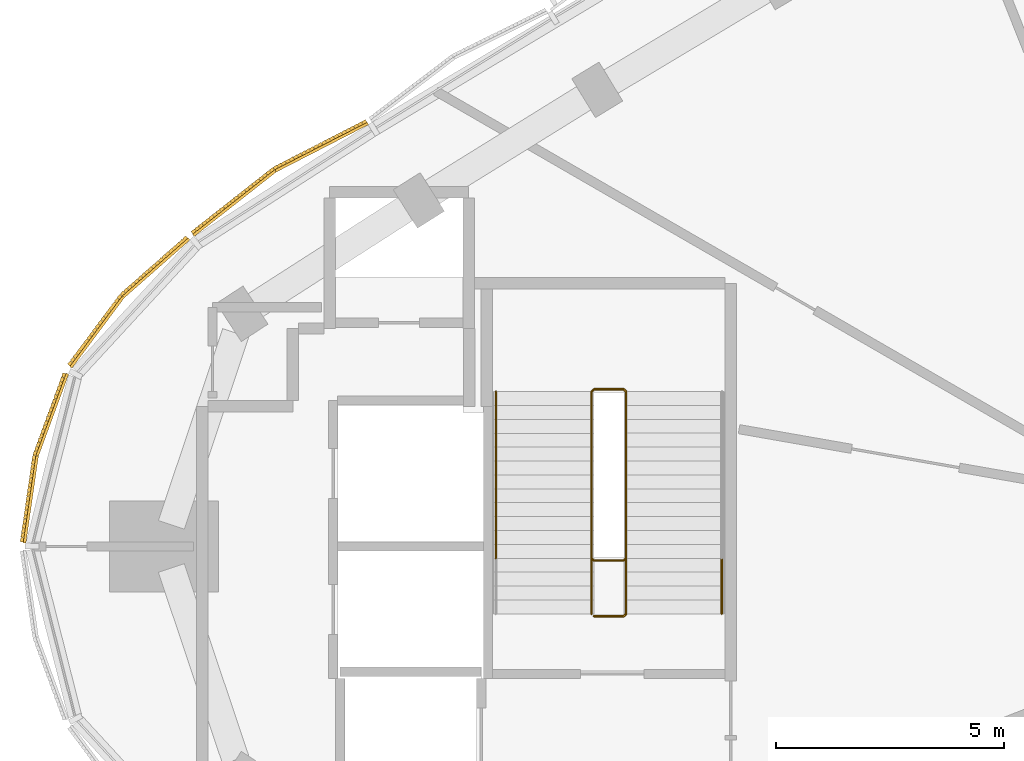
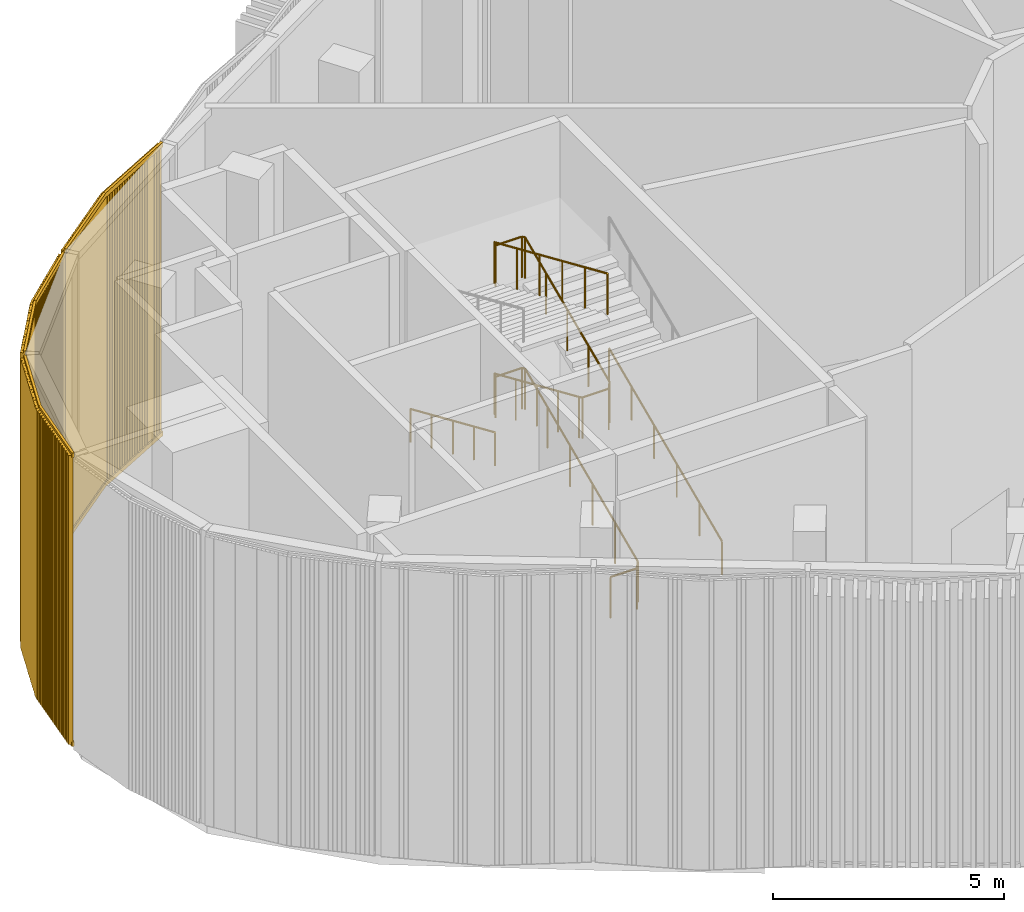
# One storey, part 8 of 11: 3 coverings, 3 railings.
"""IFC4 building model written with IfcOpenShell, lengths in metres."""

from ifc_helpers import new_model, si_unit, direction, frame, frame_2d, origin, origin_2d, place, context, subcontext, project, spatial, rectangle, circle, extrude, source, transform, mapped, material, type_object, element, save


model = new_model("IFC4")

# Units and contexts
model_context = context("Model", 3, precision=1e-05, world=origin(), true_north=direction((0.0, 1.0)))
body_context = subcontext(model_context, "Body", "Model", "MODEL_VIEW")
ifc_project = project(units=[si_unit("LENGTHUNIT", "METRE"), si_unit("AREAUNIT", "SQUARE_METRE"), si_unit("VOLUMEUNIT", "CUBIC_METRE"), si_unit("PLANEANGLEUNIT", "RADIAN"), si_unit("MASSUNIT", "GRAM", prefix="KILO")], contexts=[model_context])

# Site, building, storey
site_placement = place(None, origin())
site = spatial("IfcSite", under=ifc_project, at=site_placement, CompositionType="ELEMENT")
building_placement = place(site_placement, origin())
building = spatial("IfcBuilding", under=site, at=building_placement, Name="Tamra Quay Hotel Tower", CompositionType="ELEMENT")
storey_placement = place(building_placement, frame((0.0, 0.0, 312.60009765625)))
storey = spatial("IfcBuildingStorey", under=building, at=storey_placement, Name="L78", CompositionType="ELEMENT", Elevation=312.60009765625)

# Railings
ifc_material_1 = material(Name="Stair guard 1100")
railing_type_1 = type_object("IfcRailingType", Name="Stair guard 1100", PredefinedType="GUARDRAIL", material=ifc_material_1)
railing_1_placement = place(storey_placement, frame((-13.84130859375, -1.530029296875, 0.0)))
element("IfcRailing", 1, at=railing_1_placement, inside=storey, type_object=railing_type_1, Name="GR", PredefinedType="GUARDRAIL", context=body_context, shape_type="SweptSolid", body=[
    extrude(circle(Radius=0.02392578125, at=origin_2d()), frame((0.0, 0.0, 1.076171875), z_axis=(1.0, 0.0, 0.0), x_axis=(0.0, 1.0, 0.0)), (0.0, 0.0, 1.0), 0.658935546875),
    extrude(circle(Radius=0.02392578125, at=origin_2d()), frame((0.658935546875, 0.0, 1.076171875), z_axis=(0.331610167269, 0.331610167269, 0.883215372335), x_axis=(-0.707106781187, 0.707106781187, 0.0)), (0.0, 0.0, 1.0), 0.15087890625),
    extrude(circle(Radius=0.02392578125, at=origin_2d()), frame((0.708984375, 0.050048828125, 1.20947265625), z_axis=(0.0, 0.916270923776, 0.400559102059), x_axis=(-1.0, 0.0, 0.0)), (0.0, 0.0, 1.0), 5.325927734375),
    extrude(circle(Radius=0.02392578125, at=origin_2d()), frame((0.708984375, 4.929931640625, 3.3427734375), z_axis=(-0.707106781187, 0.707106781187, 0.0), x_axis=(-0.707106781187, -0.707106781187, 0.0)), (0.0, 0.0, 1.0), 0.07080078125),
    extrude(circle(Radius=0.02392578125, at=origin_2d()), frame((0.658935546875, 4.97998046875, 3.3427734375), z_axis=(-1.0, 0.0, 0.0), x_axis=(0.0, -1.0, 0.0)), (0.0, 0.0, 1.0), 0.658935546875),
    extrude(circle(Radius=0.02392578125, at=origin_2d()), frame((0.0, 4.97998046875, 3.3427734375), z_axis=(-0.331610167269, -0.331610167269, 0.883215372335), x_axis=(0.707106781187, -0.707106781187, 0.0)), (0.0, 0.0, 1.0), 0.15087890625),
    extrude(circle(Radius=0.02392578125, at=origin_2d()), frame((-0.050048828125, 4.929931640625, 3.47607421875), z_axis=(0.0, -0.916259707146, 0.400584758898), x_axis=(1.0, 0.0, 0.0)), (0.0, 0.0, 1.0), 3.994384765625),
    extrude(circle(Radius=0.02392578125, at=origin_2d()), frame((-0.050048828125, 1.27001953125, 5.076171875), z_axis=(0.707106781187, -0.707106781187, 0.0), x_axis=(0.707106781187, 0.707106781187, 0.0)), (0.0, 0.0, 1.0), 0.07080078125),
    extrude(circle(Radius=0.02392578125, at=origin_2d()), frame((0.0, 1.219970703125, 5.076171875), z_axis=(1.0, 0.0, 0.0), x_axis=(0.0, 1.0, 0.0)), (0.0, 0.0, 1.0), 0.658935546875),
    extrude(circle(Radius=0.02392578125, at=origin_2d()), frame((0.658935546875, 1.219970703125, 5.076171875), z_axis=(0.331610167269, 0.331610167269, 0.883215372335), x_axis=(-0.707106781187, 0.707106781187, 0.0)), (0.0, 0.0, 1.0), 0.15087890625),
    extrude(circle(Radius=0.02392578125, at=origin_2d()), frame((0.708984375, 1.27001953125, 5.20947265625), z_axis=(0.0, 0.916282139963, 0.400533444278), x_axis=(-1.0, 0.0, 0.0)), (0.0, 0.0, 1.0), 3.994384765625),
    extrude(circle(Radius=0.02392578125, at=origin_2d()), frame((0.708984375, 4.929931640625, 6.80908203125), z_axis=(-0.707106781187, 0.707106781187, 0.0), x_axis=(-0.707106781187, -0.707106781187, 0.0)), (0.0, 0.0, 1.0), 0.07080078125),
    extrude(circle(Radius=0.02392578125, at=origin_2d()), frame((0.658935546875, 4.97998046875, 6.80908203125), z_axis=(-1.0, 0.0, 0.0), x_axis=(0.0, -1.0, 0.0)), (0.0, 0.0, 1.0), 0.658935546875),
    extrude(circle(Radius=0.02392578125, at=origin_2d()), frame((0.0, 4.97998046875, 6.80908203125), z_axis=(-0.331610167269, -0.331610167269, 0.883215372335), x_axis=(0.707106781187, -0.707106781187, 0.0)), (0.0, 0.0, 1.0), 0.15087890625),
    extrude(circle(Radius=0.02392578125, at=origin_2d()), frame((-0.050048828125, 4.929931640625, 6.9423828125), z_axis=(0.0, -0.916254098664, 0.400597586964), x_axis=(1.0, 0.0, 0.0)), (0.0, 0.0, 1.0), 5.325927734375),
    extrude(circle(Radius=0.02099609375, at=origin_2d()), origin(), (0.0, 0.0, 1.0), 1.052001953125),
    extrude(circle(Radius=0.02099609375, at=origin_2d()), frame((0.658935546875, 0.0, 0.0)), (0.0, 0.0, 1.0), 1.052001953125),
    extrude(circle(Radius=0.02099609375, at=origin_2d()), frame((0.708984375, 0.050048828125, 0.13330078125)), (0.0, 0.0, 1.0), 1.052001953125),
    extrude(circle(Radius=0.02099609375, at=origin_2d()), frame((0.708984375, 1.026123046875, 0.56005859375)), (0.0, 0.0, 1.0), 1.052001953125),
    extrude(circle(Radius=0.02099609375, at=origin_2d()), frame((0.708984375, 2.001953125, 0.986572265625)), (0.0, 0.0, 1.0), 1.052001953125),
    extrude(circle(Radius=0.02099609375, at=origin_2d()), frame((0.708984375, 2.97802734375, 1.413330078125)), (0.0, 0.0, 1.0), 1.052001953125),
    extrude(circle(Radius=0.02099609375, at=origin_2d()), frame((0.708984375, 3.953857421875, 1.83984375)), (0.0, 0.0, 1.0), 1.052001953125),
    extrude(circle(Radius=0.02099609375, at=origin_2d()), frame((0.708984375, 4.929931640625, 2.2666015625)), (0.0, 0.0, 1.0), 1.052001953125),
    extrude(circle(Radius=0.02099609375, at=origin_2d()), frame((0.658935546875, 4.97998046875, 2.2666015625)), (0.0, 0.0, 1.0), 1.052001953125),
    extrude(circle(Radius=0.02099609375, at=origin_2d()), frame((0.0, 4.97998046875, 2.2666015625)), (0.0, 0.0, 1.0), 1.052001953125),
    extrude(circle(Radius=0.02099609375, at=origin_2d()), frame((-0.050048828125, 4.929931640625, 2.39990234375)), (0.0, 0.0, 1.0), 1.052001953125),
    extrude(circle(Radius=0.02099609375, at=origin_2d()), frame((-0.050048828125, 4.014892578125, 2.7998046875)), (0.0, 0.0, 1.0), 1.052001953125),
    extrude(circle(Radius=0.02099609375, at=origin_2d()), frame((-0.050048828125, 3.10009765625, 3.199951171875)), (0.0, 0.0, 1.0), 1.052001953125),
    extrude(circle(Radius=0.02099609375, at=origin_2d()), frame((-0.050048828125, 2.18505859375, 3.60009765625)), (0.0, 0.0, 1.0), 1.052001953125),
    extrude(circle(Radius=0.02099609375, at=origin_2d()), frame((-0.050048828125, 1.27001953125, 4.0)), (0.0, 0.0, 1.0), 1.052001953125),
    extrude(circle(Radius=0.02099609375, at=origin_2d()), frame((0.0, 1.219970703125, 4.0)), (0.0, 0.0, 1.0), 1.052001953125),
    extrude(circle(Radius=0.02099609375, at=origin_2d()), frame((0.658935546875, 1.219970703125, 4.0)), (0.0, 0.0, 1.0), 1.052001953125),
    extrude(circle(Radius=0.02099609375, at=origin_2d()), frame((0.708984375, 1.27001953125, 4.13330078125)), (0.0, 0.0, 1.0), 1.052001953125),
    extrude(circle(Radius=0.02099609375, at=origin_2d()), frame((0.708984375, 2.18505859375, 4.533203125)), (0.0, 0.0, 1.0), 1.052001953125),
    extrude(circle(Radius=0.02099609375, at=origin_2d()), frame((0.708984375, 3.10009765625, 4.93310546875)), (0.0, 0.0, 1.0), 1.052001953125),
    extrude(circle(Radius=0.02099609375, at=origin_2d()), frame((0.708984375, 4.014892578125, 5.333251953125)), (0.0, 0.0, 1.0), 1.052001953125),
    extrude(circle(Radius=0.02099609375, at=origin_2d()), frame((0.708984375, 4.929931640625, 5.733154296875)), (0.0, 0.0, 1.0), 1.052001953125),
    extrude(circle(Radius=0.02099609375, at=origin_2d()), frame((0.658935546875, 4.97998046875, 5.733154296875)), (0.0, 0.0, 1.0), 1.052001953125),
    extrude(circle(Radius=0.02099609375, at=origin_2d()), frame((0.0, 4.97998046875, 5.733154296875)), (0.0, 0.0, 1.0), 1.052001953125),
    extrude(circle(Radius=0.02099609375, at=origin_2d()), frame((-0.050048828125, 4.929931640625, 5.866455078125)), (0.0, 0.0, 1.0), 1.052001953125),
    extrude(circle(Radius=0.02099609375, at=origin_2d()), frame((-0.050048828125, 3.953857421875, 6.293212890625)), (0.0, 0.0, 1.0), 1.052001953125),
    extrude(circle(Radius=0.02099609375, at=origin_2d()), frame((-0.050048828125, 2.97802734375, 6.719970703125)), (0.0, 0.0, 1.0), 1.052001953125),
    extrude(circle(Radius=0.02099609375, at=origin_2d()), frame((-0.050048828125, 2.001953125, 7.146484375)), (0.0, 0.0, 1.0), 1.052001953125),
    extrude(circle(Radius=0.02099609375, at=origin_2d()), frame((-0.050048828125, 1.026123046875, 7.5732421875)), (0.0, 0.0, 1.0), 1.052001953125),
    extrude(circle(Radius=0.02099609375, at=origin_2d()), frame((-0.050048828125, 0.050048828125, 8.0)), (0.0, 0.0, 1.0), 1.052001953125),
])
ifc_material_2 = material(Name="Stair handrail 900")
railing_type_2 = type_object("IfcRailingType", Name="Stair handrail 900", PredefinedType="HANDRAIL", material=ifc_material_2)
railing_2_placement = place(storey_placement, frame((-11.0322265625, -1.47998046875, 0.13330078125)))
element("IfcRailing", 2, at=railing_2_placement, inside=storey, type_object=railing_type_2, Name="HR", PredefinedType="HANDRAIL", context=body_context, shape_type="SweptSolid", body=[
    extrude(circle(Radius=0.02392578125, at=origin_2d()), frame((0.0, 0.0, 0.8759765625), z_axis=(0.0, 0.916270923776, 0.400559102059), x_axis=(-1.0, 0.0, 0.0)), (0.0, 0.0, 1.0), 5.325927734375),
    extrude(circle(Radius=0.02099609375, at=origin_2d()), origin(), (0.0, 0.0, 1.0), 0.851806640625),
    extrude(circle(Radius=0.02099609375, at=origin_2d()), frame((0.0, 0.97607421875, 0.4267578125)), (0.0, 0.0, 1.0), 0.851806640625),
    extrude(circle(Radius=0.02099609375, at=origin_2d()), frame((0.0, 1.951904296875, 0.853271484375)), (0.0, 0.0, 1.0), 0.851806640625),
    extrude(circle(Radius=0.02099609375, at=origin_2d()), frame((0.0, 2.927978515625, 1.280029296875)), (0.0, 0.0, 1.0), 0.851806640625),
    extrude(circle(Radius=0.02099609375, at=origin_2d()), frame((0.0, 3.90380859375, 1.70654296875)), (0.0, 0.0, 1.0), 0.851806640625),
    extrude(circle(Radius=0.02099609375, at=origin_2d()), frame((0.0, 4.8798828125, 2.13330078125)), (0.0, 0.0, 1.0), 0.851806640625),
])
railing_3_placement = place(storey_placement, frame((-15.9912109375, 3.39990234375, 2.39990234375)))
element("IfcRailing", 3, at=railing_3_placement, inside=storey, type_object=railing_type_2, Name="HR", PredefinedType="HANDRAIL", context=body_context, shape_type="SweptSolid", body=[
    extrude(circle(Radius=0.02392578125, at=origin_2d()), frame((0.0, 0.0, 0.8759765625), z_axis=(0.0, -0.916259707146, 0.400584758898), x_axis=(1.0, 0.0, 0.0)), (0.0, 0.0, 1.0), 3.994384765625),
    extrude(circle(Radius=0.02099609375, at=origin_2d()), origin(), (0.0, 0.0, 1.0), 0.851806640625),
    extrude(circle(Radius=0.02099609375, at=origin_2d()), frame((0.0, -0.9150390625, 0.39990234375)), (0.0, 0.0, 1.0), 0.851806640625),
    extrude(circle(Radius=0.02099609375, at=origin_2d()), frame((0.0, -1.830078125, 0.800048828125)), (0.0, 0.0, 1.0), 0.851806640625),
    extrude(circle(Radius=0.02099609375, at=origin_2d()), frame((0.0, -2.744873046875, 1.2001953125)), (0.0, 0.0, 1.0), 0.851806640625),
    extrude(circle(Radius=0.02099609375, at=origin_2d()), frame((0.0, -3.659912109375, 1.60009765625)), (0.0, 0.0, 1.0), 0.851806640625),
])

# Coverings
ifc_material_3 = material(Name="Terracotta baguette extruded", Category="masonry")
covering_type_1 = type_object("IfcCoveringType", Name="BAGUETTE SCREEN NW-SHALLOW H7750", PredefinedType="USERDEFINED", material=ifc_material_3)
shared_shape_1 = source(origin(), body_context, "Body", "SweptSolid", [
    extrude(rectangle(XDim=2.282958984375, YDim=0.06005859375, at=frame_2d((1.1416015625, 0.030029296875))), frame((-2.2783203125, -0.0576171875, -0.1201171875), z_axis=(0.0, 0.0, 1.0), x_axis=(0.995396198367, -0.09584575252, 0.0)), (0.0, 0.0, 1.0), 0.1201171875),
    extrude(rectangle(XDim=2.282958984375, YDim=0.06005859375, at=frame_2d((1.1416015625, 0.030029296875))), frame((-2.2783203125, -0.0576171875, -7.75), z_axis=(0.0, 0.0, 1.0), x_axis=(0.995396198367, -0.09584575252, 0.0)), (0.0, 0.0, 1.0), 0.1201171875),
    extrude(rectangle(XDim=0.094970703125, YDim=0.10009765625, at=frame_2d((0.04736328125, 0.050048828125))), frame((-2.2705078125, -0.1328125, -7.68994140625)), (0.0, 0.0, 1.0), 7.6298828125),
    extrude(rectangle(XDim=0.094970703125, YDim=0.10009765625, at=frame_2d((0.04736328125, 0.050048828125))), frame((-2.171875, -0.142333984375, -7.68994140625)), (0.0, 0.0, 1.0), 7.6298828125),
    extrude(rectangle(XDim=0.094970703125, YDim=0.10009765625, at=frame_2d((0.04736328125, 0.050048828125))), frame((-2.072998046875, -0.15185546875, -7.68994140625)), (0.0, 0.0, 1.0), 7.6298828125),
    extrude(rectangle(XDim=0.094970703125, YDim=0.10009765625, at=frame_2d((0.04736328125, 0.050048828125))), frame((-1.97412109375, -0.161376953125, -7.68994140625)), (0.0, 0.0, 1.0), 7.6298828125),
    extrude(rectangle(XDim=0.094970703125, YDim=0.10009765625, at=frame_2d((0.04736328125, 0.050048828125))), frame((-1.87548828125, -0.1708984375, -7.68994140625)), (0.0, 0.0, 1.0), 7.6298828125),
    extrude(rectangle(XDim=0.094970703125, YDim=0.10009765625, at=frame_2d((0.04736328125, 0.050048828125))), frame((-1.776611328125, -0.180419921875, -7.68994140625)), (0.0, 0.0, 1.0), 7.6298828125),
    extrude(rectangle(XDim=0.094970703125, YDim=0.10009765625, at=frame_2d((0.04736328125, 0.050048828125))), frame((-1.677734375, -0.18994140625, -7.68994140625)), (0.0, 0.0, 1.0), 7.6298828125),
    extrude(rectangle(XDim=0.094970703125, YDim=0.10009765625, at=frame_2d((0.04736328125, 0.050048828125))), frame((-1.578857421875, -0.199462890625, -7.68994140625)), (0.0, 0.0, 1.0), 7.6298828125),
    extrude(rectangle(XDim=0.094970703125, YDim=0.10009765625, at=frame_2d((0.04736328125, 0.050048828125))), frame((-1.480224609375, -0.208984375, -7.68994140625)), (0.0, 0.0, 1.0), 7.6298828125),
    extrude(rectangle(XDim=0.094970703125, YDim=0.10009765625, at=frame_2d((0.04736328125, 0.050048828125))), frame((-1.38134765625, -0.21826171875, -7.68994140625)), (0.0, 0.0, 1.0), 7.6298828125),
    extrude(rectangle(XDim=0.094970703125, YDim=0.10009765625, at=frame_2d((0.04736328125, 0.050048828125))), frame((-1.282470703125, -0.227783203125, -7.68994140625)), (0.0, 0.0, 1.0), 7.6298828125),
    extrude(rectangle(XDim=0.094970703125, YDim=0.10009765625, at=frame_2d((0.04736328125, 0.050048828125))), frame((-1.183837890625, -0.2373046875, -7.68994140625)), (0.0, 0.0, 1.0), 7.6298828125),
    extrude(rectangle(XDim=0.094970703125, YDim=0.10009765625, at=frame_2d((0.04736328125, 0.050048828125))), frame((-1.0849609375, -0.246826171875, -7.68994140625)), (0.0, 0.0, 1.0), 7.6298828125),
    extrude(rectangle(XDim=0.094970703125, YDim=0.10009765625, at=frame_2d((0.04736328125, 0.050048828125))), frame((-0.986083984375, -0.25634765625, -7.68994140625)), (0.0, 0.0, 1.0), 7.6298828125),
    extrude(rectangle(XDim=0.094970703125, YDim=0.10009765625, at=frame_2d((0.04736328125, 0.050048828125))), frame((-0.887451171875, -0.265869140625, -7.68994140625)), (0.0, 0.0, 1.0), 7.6298828125),
    extrude(rectangle(XDim=0.094970703125, YDim=0.10009765625, at=frame_2d((0.04736328125, 0.050048828125))), frame((-0.78857421875, -0.275390625, -7.68994140625)), (0.0, 0.0, 1.0), 7.6298828125),
    extrude(rectangle(XDim=0.094970703125, YDim=0.10009765625, at=frame_2d((0.04736328125, 0.050048828125))), frame((-0.689697265625, -0.284912109375, -7.68994140625)), (0.0, 0.0, 1.0), 7.6298828125),
    extrude(rectangle(XDim=0.094970703125, YDim=0.10009765625, at=frame_2d((0.04736328125, 0.050048828125))), frame((-0.5908203125, -0.29443359375, -7.68994140625)), (0.0, 0.0, 1.0), 7.6298828125),
    extrude(rectangle(XDim=0.094970703125, YDim=0.10009765625, at=frame_2d((0.04736328125, 0.050048828125))), frame((-0.4921875, -0.303955078125, -7.68994140625)), (0.0, 0.0, 1.0), 7.6298828125),
    extrude(rectangle(XDim=0.094970703125, YDim=0.10009765625, at=frame_2d((0.04736328125, 0.050048828125))), frame((-0.393310546875, -0.3134765625, -7.68994140625)), (0.0, 0.0, 1.0), 7.6298828125),
    extrude(rectangle(XDim=0.094970703125, YDim=0.10009765625, at=frame_2d((0.04736328125, 0.050048828125))), frame((-0.29443359375, -0.322998046875, -7.68994140625)), (0.0, 0.0, 1.0), 7.6298828125),
    extrude(rectangle(XDim=0.094970703125, YDim=0.10009765625, at=frame_2d((0.04736328125, 0.050048828125))), frame((-0.19580078125, -0.33251953125, -7.68994140625)), (0.0, 0.0, 1.0), 7.6298828125),
    extrude(rectangle(XDim=0.094970703125, YDim=0.10009765625, at=frame_2d((0.04736328125, 0.050048828125))), frame((-0.096923828125, -0.342041015625, -7.68994140625)), (0.0, 0.0, 1.0), 7.6298828125),
    extrude(rectangle(XDim=2.282958984375, YDim=0.06005859375, at=frame_2d((1.1416015625, 0.030029296875))), frame((0.005859375, -0.276611328125, -0.1201171875), z_axis=(0.0, 0.0, 1.0), x_axis=(0.995396198367, 0.09584575252, 0.0)), (0.0, 0.0, 1.0), 0.1201171875),
    extrude(rectangle(XDim=2.282958984375, YDim=0.06005859375, at=frame_2d((1.1416015625, 0.030029296875))), frame((0.005859375, -0.276611328125, -7.75), z_axis=(0.0, 0.0, 1.0), x_axis=(0.995396198367, 0.09584575252, 0.0)), (0.0, 0.0, 1.0), 0.1201171875),
    extrude(rectangle(XDim=0.094970703125, YDim=0.10009765625, at=frame_2d((0.04736328125, 0.050048828125))), frame((0.001953125, -0.342041015625, -7.68994140625)), (0.0, 0.0, 1.0), 7.6298828125),
    extrude(rectangle(XDim=0.094970703125, YDim=0.10009765625, at=frame_2d((0.04736328125, 0.050048828125))), frame((0.100830078125, -0.33251953125, -7.68994140625)), (0.0, 0.0, 1.0), 7.6298828125),
    extrude(rectangle(XDim=0.094970703125, YDim=0.10009765625, at=frame_2d((0.04736328125, 0.050048828125))), frame((0.199462890625, -0.322998046875, -7.68994140625)), (0.0, 0.0, 1.0), 7.6298828125),
    extrude(rectangle(XDim=0.094970703125, YDim=0.10009765625, at=frame_2d((0.04736328125, 0.050048828125))), frame((0.29833984375, -0.3134765625, -7.68994140625)), (0.0, 0.0, 1.0), 7.6298828125),
    extrude(rectangle(XDim=0.094970703125, YDim=0.10009765625, at=frame_2d((0.04736328125, 0.050048828125))), frame((0.397216796875, -0.303955078125, -7.68994140625)), (0.0, 0.0, 1.0), 7.6298828125),
    extrude(rectangle(XDim=0.094970703125, YDim=0.10009765625, at=frame_2d((0.04736328125, 0.050048828125))), frame((0.495849609375, -0.29443359375, -7.68994140625)), (0.0, 0.0, 1.0), 7.6298828125),
    extrude(rectangle(XDim=0.094970703125, YDim=0.10009765625, at=frame_2d((0.04736328125, 0.050048828125))), frame((0.5947265625, -0.284912109375, -7.68994140625)), (0.0, 0.0, 1.0), 7.6298828125),
    extrude(rectangle(XDim=0.094970703125, YDim=0.10009765625, at=frame_2d((0.04736328125, 0.050048828125))), frame((0.693603515625, -0.275390625, -7.68994140625)), (0.0, 0.0, 1.0), 7.6298828125),
    extrude(rectangle(XDim=0.094970703125, YDim=0.10009765625, at=frame_2d((0.04736328125, 0.050048828125))), frame((0.792236328125, -0.265869140625, -7.68994140625)), (0.0, 0.0, 1.0), 7.6298828125),
    extrude(rectangle(XDim=0.094970703125, YDim=0.10009765625, at=frame_2d((0.04736328125, 0.050048828125))), frame((0.89111328125, -0.25634765625, -7.68994140625)), (0.0, 0.0, 1.0), 7.6298828125),
    extrude(rectangle(XDim=0.094970703125, YDim=0.10009765625, at=frame_2d((0.04736328125, 0.050048828125))), frame((0.989990234375, -0.246826171875, -7.68994140625)), (0.0, 0.0, 1.0), 7.6298828125),
    extrude(rectangle(XDim=0.094970703125, YDim=0.10009765625, at=frame_2d((0.04736328125, 0.050048828125))), frame((1.0888671875, -0.2373046875, -7.68994140625)), (0.0, 0.0, 1.0), 7.6298828125),
    extrude(rectangle(XDim=0.094970703125, YDim=0.10009765625, at=frame_2d((0.04736328125, 0.050048828125))), frame((1.1875, -0.227783203125, -7.68994140625)), (0.0, 0.0, 1.0), 7.6298828125),
    extrude(rectangle(XDim=0.094970703125, YDim=0.10009765625, at=frame_2d((0.04736328125, 0.050048828125))), frame((1.286376953125, -0.21826171875, -7.68994140625)), (0.0, 0.0, 1.0), 7.6298828125),
    extrude(rectangle(XDim=0.094970703125, YDim=0.10009765625, at=frame_2d((0.04736328125, 0.050048828125))), frame((1.38525390625, -0.208984375, -7.68994140625)), (0.0, 0.0, 1.0), 7.6298828125),
    extrude(rectangle(XDim=0.094970703125, YDim=0.10009765625, at=frame_2d((0.04736328125, 0.050048828125))), frame((1.48388671875, -0.199462890625, -7.68994140625)), (0.0, 0.0, 1.0), 7.6298828125),
    extrude(rectangle(XDim=0.094970703125, YDim=0.10009765625, at=frame_2d((0.04736328125, 0.050048828125))), frame((1.582763671875, -0.18994140625, -7.68994140625)), (0.0, 0.0, 1.0), 7.6298828125),
    extrude(rectangle(XDim=0.094970703125, YDim=0.10009765625, at=frame_2d((0.04736328125, 0.050048828125))), frame((1.681640625, -0.180419921875, -7.68994140625)), (0.0, 0.0, 1.0), 7.6298828125),
    extrude(rectangle(XDim=0.094970703125, YDim=0.10009765625, at=frame_2d((0.04736328125, 0.050048828125))), frame((1.7802734375, -0.1708984375, -7.68994140625)), (0.0, 0.0, 1.0), 7.6298828125),
    extrude(rectangle(XDim=0.094970703125, YDim=0.10009765625, at=frame_2d((0.04736328125, 0.050048828125))), frame((1.879150390625, -0.161376953125, -7.68994140625)), (0.0, 0.0, 1.0), 7.6298828125),
    extrude(rectangle(XDim=0.094970703125, YDim=0.10009765625, at=frame_2d((0.04736328125, 0.050048828125))), frame((1.97802734375, -0.15185546875, -7.68994140625)), (0.0, 0.0, 1.0), 7.6298828125),
    extrude(rectangle(XDim=0.094970703125, YDim=0.10009765625, at=frame_2d((0.04736328125, 0.050048828125))), frame((2.076904296875, -0.142333984375, -7.68994140625)), (0.0, 0.0, 1.0), 7.6298828125),
    extrude(rectangle(XDim=0.094970703125, YDim=0.10009765625, at=frame_2d((0.04736328125, 0.050048828125))), frame((2.175537109375, -0.1328125, -7.68994140625)), (0.0, 0.0, 1.0), 7.6298828125),
])
covering_placement = place(storey_placement, frame((-20.698974609375, 8.03271484375, 7.75), z_axis=(0.0, 0.0, 1.0), x_axis=(-0.841664991367, -0.540000039174, 0.0)))
element("IfcCovering", 4, at=covering_placement, inside=storey, type_object=covering_type_1, Name="Baguette screen L78.NW.f06", ObjectType="BAGUETTE SCREEN", PredefinedType="USERDEFINED", context=body_context, shape_type="MappedRepresentation", body=[
    mapped(shared_shape_1, transform((0.0, 0.0, 0.0), scale=1.0)),
])
covering_type_2 = type_object("IfcCoveringType", Name="BAGUETTE SCREEN CORNER-SHALLOW H7750", PredefinedType="USERDEFINED", material=ifc_material_3)
shared_shape_2 = source(origin(), body_context, "Body", "SweptSolid", [
    extrude(rectangle(XDim=1.923095703125, YDim=0.06005859375, at=frame_2d((0.96142578125, 0.030029296875))), frame((-1.918701171875, -0.0576171875, -0.1201171875), z_axis=(0.0, 0.0, 1.0), x_axis=(0.994521895368, -0.104528463268, 0.0)), (0.0, 0.0, 1.0), 0.1201171875),
    extrude(rectangle(XDim=1.923095703125, YDim=0.06005859375, at=frame_2d((0.96142578125, 0.030029296875))), frame((-1.918701171875, -0.0576171875, -7.75), z_axis=(0.0, 0.0, 1.0), x_axis=(0.994521895368, -0.104528463268, 0.0)), (0.0, 0.0, 1.0), 0.1201171875),
    extrude(rectangle(XDim=0.094970703125, YDim=0.10009765625, at=frame_2d((0.04736328125, 0.050048828125))), frame((-1.90966796875, -0.13330078125, -7.68994140625)), (0.0, 0.0, 1.0), 7.6298828125),
    extrude(rectangle(XDim=0.094970703125, YDim=0.10009765625, at=frame_2d((0.04736328125, 0.050048828125))), frame((-1.80908203125, -0.143798828125, -7.68994140625)), (0.0, 0.0, 1.0), 7.6298828125),
    extrude(rectangle(XDim=0.094970703125, YDim=0.10009765625, at=frame_2d((0.04736328125, 0.050048828125))), frame((-1.708251953125, -0.154541015625, -7.68994140625)), (0.0, 0.0, 1.0), 7.6298828125),
    extrude(rectangle(XDim=0.094970703125, YDim=0.10009765625, at=frame_2d((0.04736328125, 0.050048828125))), frame((-1.607666015625, -0.1650390625, -7.68994140625)), (0.0, 0.0, 1.0), 7.6298828125),
    extrude(rectangle(XDim=0.094970703125, YDim=0.10009765625, at=frame_2d((0.04736328125, 0.050048828125))), frame((-1.507080078125, -0.175537109375, -7.68994140625)), (0.0, 0.0, 1.0), 7.6298828125),
    extrude(rectangle(XDim=0.094970703125, YDim=0.10009765625, at=frame_2d((0.04736328125, 0.050048828125))), frame((-1.406494140625, -0.186279296875, -7.68994140625)), (0.0, 0.0, 1.0), 7.6298828125),
    extrude(rectangle(XDim=0.094970703125, YDim=0.10009765625, at=frame_2d((0.04736328125, 0.050048828125))), frame((-1.3056640625, -0.19677734375, -7.68994140625)), (0.0, 0.0, 1.0), 7.6298828125),
    extrude(rectangle(XDim=0.094970703125, YDim=0.10009765625, at=frame_2d((0.04736328125, 0.050048828125))), frame((-1.205078125, -0.207275390625, -7.68994140625)), (0.0, 0.0, 1.0), 7.6298828125),
    extrude(rectangle(XDim=0.094970703125, YDim=0.10009765625, at=frame_2d((0.04736328125, 0.050048828125))), frame((-1.1044921875, -0.218017578125, -7.68994140625)), (0.0, 0.0, 1.0), 7.6298828125),
    extrude(rectangle(XDim=0.094970703125, YDim=0.10009765625, at=frame_2d((0.04736328125, 0.050048828125))), frame((-1.003662109375, -0.228515625, -7.68994140625)), (0.0, 0.0, 1.0), 7.6298828125),
    extrude(rectangle(XDim=0.094970703125, YDim=0.10009765625, at=frame_2d((0.04736328125, 0.050048828125))), frame((-0.903076171875, -0.239013671875, -7.68994140625)), (0.0, 0.0, 1.0), 7.6298828125),
    extrude(rectangle(XDim=0.094970703125, YDim=0.10009765625, at=frame_2d((0.04736328125, 0.050048828125))), frame((-0.802490234375, -0.249755859375, -7.68994140625)), (0.0, 0.0, 1.0), 7.6298828125),
    extrude(rectangle(XDim=0.094970703125, YDim=0.10009765625, at=frame_2d((0.04736328125, 0.050048828125))), frame((-0.70166015625, -0.26025390625, -7.68994140625)), (0.0, 0.0, 1.0), 7.6298828125),
    extrude(rectangle(XDim=0.094970703125, YDim=0.10009765625, at=frame_2d((0.04736328125, 0.050048828125))), frame((-0.60107421875, -0.270751953125, -7.68994140625)), (0.0, 0.0, 1.0), 7.6298828125),
    extrude(rectangle(XDim=0.094970703125, YDim=0.10009765625, at=frame_2d((0.04736328125, 0.050048828125))), frame((-0.50048828125, -0.281494140625, -7.68994140625)), (0.0, 0.0, 1.0), 7.6298828125),
    extrude(rectangle(XDim=0.094970703125, YDim=0.10009765625, at=frame_2d((0.04736328125, 0.050048828125))), frame((-0.39990234375, -0.2919921875, -7.68994140625)), (0.0, 0.0, 1.0), 7.6298828125),
    extrude(rectangle(XDim=0.094970703125, YDim=0.10009765625, at=frame_2d((0.04736328125, 0.050048828125))), frame((-0.299072265625, -0.302490234375, -7.68994140625)), (0.0, 0.0, 1.0), 7.6298828125),
    extrude(rectangle(XDim=0.094970703125, YDim=0.10009765625, at=frame_2d((0.04736328125, 0.050048828125))), frame((-0.198486328125, -0.313232421875, -7.68994140625)), (0.0, 0.0, 1.0), 7.6298828125),
    extrude(rectangle(XDim=0.094970703125, YDim=0.10009765625, at=frame_2d((0.04736328125, 0.050048828125))), frame((-0.097900390625, -0.32373046875, -7.68994140625)), (0.0, 0.0, 1.0), 7.6298828125),
    extrude(rectangle(XDim=1.923095703125, YDim=0.06005859375, at=frame_2d((0.96142578125, 0.030029296875))), frame((0.00634765625, -0.2587890625, -0.1201171875), z_axis=(0.0, 0.0, 1.0), x_axis=(0.994521895368, 0.104528463268, 0.0)), (0.0, 0.0, 1.0), 0.1201171875),
    extrude(rectangle(XDim=1.923095703125, YDim=0.06005859375, at=frame_2d((0.96142578125, 0.030029296875))), frame((0.00634765625, -0.2587890625, -7.75), z_axis=(0.0, 0.0, 1.0), x_axis=(0.994521895368, 0.104528463268, 0.0)), (0.0, 0.0, 1.0), 0.1201171875),
    extrude(rectangle(XDim=0.094970703125, YDim=0.10009765625, at=frame_2d((0.04736328125, 0.050048828125))), frame((0.0029296875, -0.32373046875, -7.68994140625)), (0.0, 0.0, 1.0), 7.6298828125),
    extrude(rectangle(XDim=0.094970703125, YDim=0.10009765625, at=frame_2d((0.04736328125, 0.050048828125))), frame((0.103515625, -0.313232421875, -7.68994140625)), (0.0, 0.0, 1.0), 7.6298828125),
    extrude(rectangle(XDim=0.094970703125, YDim=0.10009765625, at=frame_2d((0.04736328125, 0.050048828125))), frame((0.2041015625, -0.302490234375, -7.68994140625)), (0.0, 0.0, 1.0), 7.6298828125),
    extrude(rectangle(XDim=0.094970703125, YDim=0.10009765625, at=frame_2d((0.04736328125, 0.050048828125))), frame((0.3046875, -0.2919921875, -7.68994140625)), (0.0, 0.0, 1.0), 7.6298828125),
    extrude(rectangle(XDim=0.094970703125, YDim=0.10009765625, at=frame_2d((0.04736328125, 0.050048828125))), frame((0.405517578125, -0.281494140625, -7.68994140625)), (0.0, 0.0, 1.0), 7.6298828125),
    extrude(rectangle(XDim=0.094970703125, YDim=0.10009765625, at=frame_2d((0.04736328125, 0.050048828125))), frame((0.506103515625, -0.270751953125, -7.68994140625)), (0.0, 0.0, 1.0), 7.6298828125),
    extrude(rectangle(XDim=0.094970703125, YDim=0.10009765625, at=frame_2d((0.04736328125, 0.050048828125))), frame((0.606689453125, -0.26025390625, -7.68994140625)), (0.0, 0.0, 1.0), 7.6298828125),
    extrude(rectangle(XDim=0.094970703125, YDim=0.10009765625, at=frame_2d((0.04736328125, 0.050048828125))), frame((0.70751953125, -0.249755859375, -7.68994140625)), (0.0, 0.0, 1.0), 7.6298828125),
    extrude(rectangle(XDim=0.094970703125, YDim=0.10009765625, at=frame_2d((0.04736328125, 0.050048828125))), frame((0.80810546875, -0.239013671875, -7.68994140625)), (0.0, 0.0, 1.0), 7.6298828125),
    extrude(rectangle(XDim=0.094970703125, YDim=0.10009765625, at=frame_2d((0.04736328125, 0.050048828125))), frame((0.90869140625, -0.228515625, -7.68994140625)), (0.0, 0.0, 1.0), 7.6298828125),
    extrude(rectangle(XDim=0.094970703125, YDim=0.10009765625, at=frame_2d((0.04736328125, 0.050048828125))), frame((1.009521484375, -0.218017578125, -7.68994140625)), (0.0, 0.0, 1.0), 7.6298828125),
    extrude(rectangle(XDim=0.094970703125, YDim=0.10009765625, at=frame_2d((0.04736328125, 0.050048828125))), frame((1.110107421875, -0.207275390625, -7.68994140625)), (0.0, 0.0, 1.0), 7.6298828125),
    extrude(rectangle(XDim=0.094970703125, YDim=0.10009765625, at=frame_2d((0.04736328125, 0.050048828125))), frame((1.210693359375, -0.19677734375, -7.68994140625)), (0.0, 0.0, 1.0), 7.6298828125),
    extrude(rectangle(XDim=0.094970703125, YDim=0.10009765625, at=frame_2d((0.04736328125, 0.050048828125))), frame((1.311279296875, -0.186279296875, -7.68994140625)), (0.0, 0.0, 1.0), 7.6298828125),
    extrude(rectangle(XDim=0.094970703125, YDim=0.10009765625, at=frame_2d((0.04736328125, 0.050048828125))), frame((1.412109375, -0.175537109375, -7.68994140625)), (0.0, 0.0, 1.0), 7.6298828125),
    extrude(rectangle(XDim=0.094970703125, YDim=0.10009765625, at=frame_2d((0.04736328125, 0.050048828125))), frame((1.5126953125, -0.1650390625, -7.68994140625)), (0.0, 0.0, 1.0), 7.6298828125),
    extrude(rectangle(XDim=0.094970703125, YDim=0.10009765625, at=frame_2d((0.04736328125, 0.050048828125))), frame((1.61328125, -0.154541015625, -7.68994140625)), (0.0, 0.0, 1.0), 7.6298828125),
    extrude(rectangle(XDim=0.094970703125, YDim=0.10009765625, at=frame_2d((0.04736328125, 0.050048828125))), frame((1.714111328125, -0.143798828125, -7.68994140625)), (0.0, 0.0, 1.0), 7.6298828125),
    extrude(rectangle(XDim=0.094970703125, YDim=0.10009765625, at=frame_2d((0.04736328125, 0.050048828125))), frame((1.814697265625, -0.13330078125, -7.68994140625)), (0.0, 0.0, 1.0), 7.6298828125),
])
for number, where, z_axis, x_axis, name in (
    (5, (-24.00146484375, 5.320556640625, 7.75), (0.0, 0.0, 1.0), (-0.67737593284, -0.735637033875, 0.0), "Baguette screen L78.NW.c07"),
    (6, (-25.837646484375, 1.928466796875, 7.75), (0.0, 0.0, 1.0), (-0.245526933255, -0.969389769415, 0.0), "Baguette screen L78.NW.c08"),
):
    element("IfcCovering", number, at=place(storey_placement, frame(where, z_axis=z_axis, x_axis=x_axis)), inside=storey, type_object=covering_type_2, Name=name, ObjectType="BAGUETTE SCREEN", PredefinedType="USERDEFINED", context=body_context, shape_type="MappedRepresentation", body=[
        mapped(shared_shape_2, transform((0.0, 0.0, 0.0), scale=1.0)),
    ])

save(model, "model.ifc")
